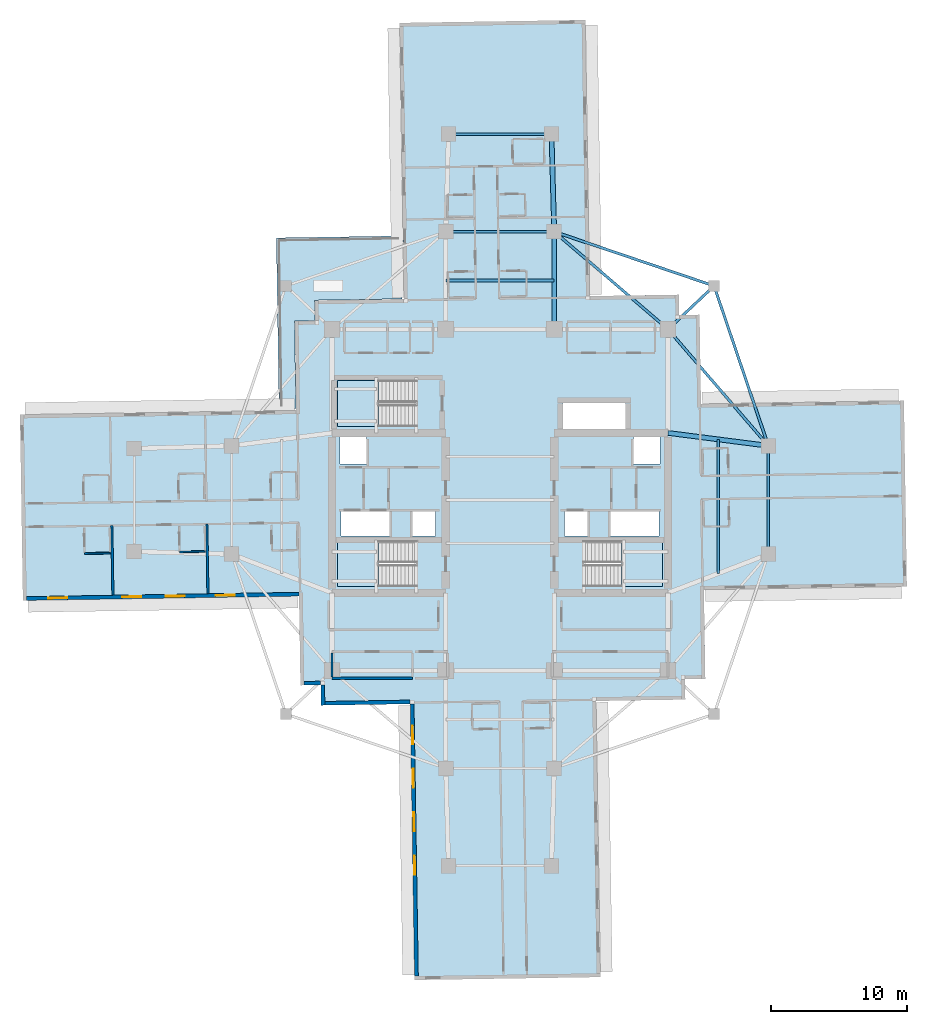
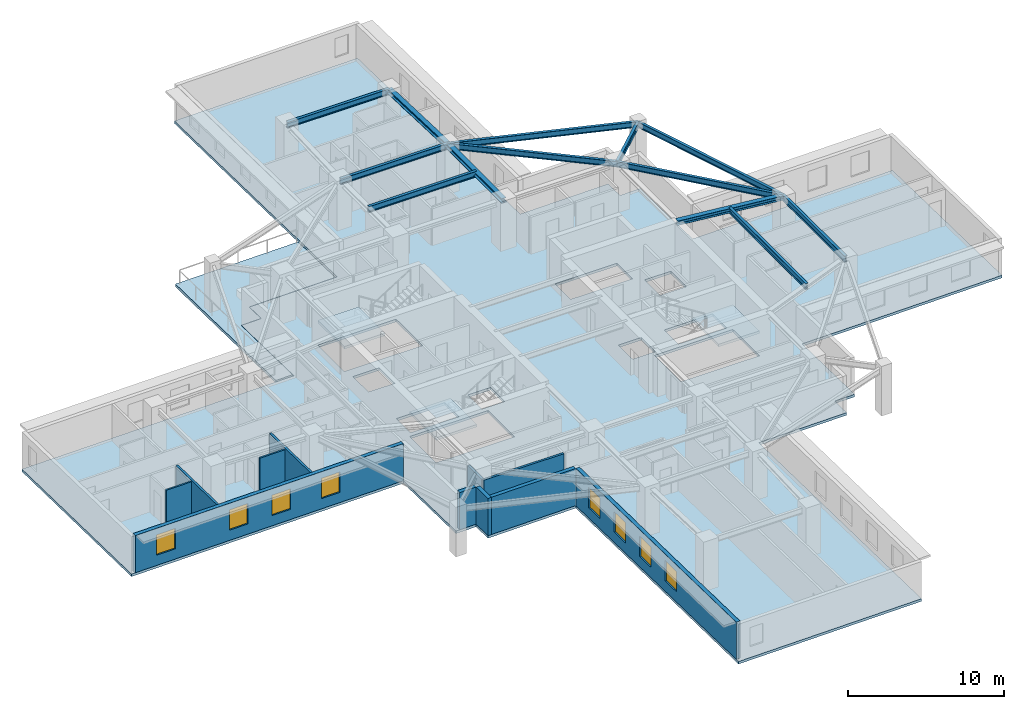
# One storey, part 2 of 13: 13 beams, 11 walls, 8 windows, 5 slabs, 8 openings, 3 elements without a shape of their own.
"""IFC4 building model written with IfcOpenShell, lengths in metres."""

from ifc_helpers import new_model, si_unit, direction, frame, frame_2d, origin, origin_2d, place, context, subcontext, project, spatial, polyline, rectangle, i_section, outline, extrude, material, layer, layer_set, material_profile, profile_set, type_object, element, fill, aggregate, save


model = new_model("IFC4")

# Units and contexts
model_context = context("Model", 3, precision=1e-05, world=origin(), true_north=direction((0.0, 1.0)))
body_context = subcontext(model_context, "Body", "Model", "MODEL_VIEW")
ifc_project = project(units=[si_unit("LENGTHUNIT", "METRE"), si_unit("AREAUNIT", "SQUARE_METRE"), si_unit("VOLUMEUNIT", "CUBIC_METRE"), si_unit("PLANEANGLEUNIT", "RADIAN"), si_unit("MASSUNIT", "GRAM", prefix="KILO")], contexts=[model_context])

# Site, building, storey
site_placement = place(None, origin())
site = spatial("IfcSite", under=ifc_project, at=site_placement, CompositionType="ELEMENT")
building_placement = place(site_placement, origin())
building = spatial("IfcBuilding", under=site, at=building_placement, Name="Qingluan Cross Belvedere", CompositionType="ELEMENT")
storey_placement = place(building_placement, frame((0.0, 0.0, 139.800048828125)))
storey = spatial("IfcBuildingStorey", under=building, at=storey_placement, Name="L35", CompositionType="ELEMENT", Elevation=139.800048828125)

# Beams
ifc_material_1 = material(Name="Steel Q420GJB", Category="steel")
ifc_material_profile_1 = material_profile(ifc_material_1, i_section(OverallWidth=0.199951171875, OverallDepth=0.449951171875, WebThickness=0.009033203125, FlangeThickness=0.013916015625, FilletRadius=0.01611328125, at=origin_2d()), Name="HN450x200x9x14")
ifc_profile_set_1 = profile_set([ifc_material_profile_1], Name="Steel Q420GJB")
beam_type_1 = type_object("IfcBeamType", Name="Steel_Beam_HN450x200x9x14", PredefinedType="JOIST", material=ifc_profile_set_1)
beam_1_placement = place(storey_placement, frame((12.39990234375, 12.60009765625, 3.425048828125), z_axis=(0.728219948308, 0.685343495546, 0.0), x_axis=(-0.685343495546, 0.728219948308, 0.0)))
element("IfcBeam", 1, at=beam_1_placement, inside=storey, type_object=beam_type_1, Name="Corner beam 1 L35-RNE", PredefinedType="JOIST", context=body_context, shape_type="SweptSolid", body=[
    extrude(i_section(OverallWidth=0.199951171875, OverallDepth=0.449951171875, WebThickness=0.009033203125, FlangeThickness=0.013916015625, FilletRadius=0.01611328125, at=origin_2d()), origin(), (0.0, 0.0, 1.0), 4.669189453125),
])
for number, where, z_axis, x_axis, name in (
    (2, (15.800048828125, 15.800048828125, 3.425048828125), (-0.947066283324, 0.321038089628, 0.0), (-0.321038089628, -0.947066283324, 0.0), "Corner beam 2 L35-RNE"),
    (3, (15.800048828125, 15.800048828125, 3.425048828125), (0.321038089628, -0.947066283324, 0.0), (0.947066283324, 0.321038089628, 0.0), "Corner beam 3 L35-RNE"),
):
    element("IfcBeam", number, at=place(storey_placement, frame(where, z_axis=z_axis, x_axis=x_axis)), inside=storey, type_object=beam_type_1, Name=name, PredefinedType="JOIST", context=body_context, shape_type="SweptSolid", body=[
        extrude(i_section(OverallWidth=0.199951171875, OverallDepth=0.449951171875, WebThickness=0.009033203125, FlangeThickness=0.013916015625, FilletRadius=0.01611328125, at=origin_2d()), origin(), (0.0, 0.0, 1.0), 12.45947265625),
    ])
beam_2_placement = place(storey_placement, frame((12.39990234375, 12.60009765625, 3.425048828125), z_axis=(0.652245077546, -0.75800815221, 0.0), x_axis=(0.75800815221, 0.652245077546, 0.0)))
element("IfcBeam", 4, at=beam_2_placement, inside=storey, type_object=beam_type_1, Name="Corner beam 4 L35-RNE", PredefinedType="JOIST", context=body_context, shape_type="SweptSolid", body=[
    extrude(i_section(OverallWidth=0.199951171875, OverallDepth=0.449951171875, WebThickness=0.009033203125, FlangeThickness=0.013916015625, FilletRadius=0.01611328125, at=origin_2d()), origin(), (0.0, 0.0, 1.0), 11.345703125),
])
beam_3_placement = place(storey_placement, frame((12.39990234375, 12.60009765625, 3.425048828125), z_axis=(-0.759255044656, 0.650793190779, 0.0), x_axis=(-0.650793190779, -0.759255044656, 0.0)))
element("IfcBeam", 5, at=beam_3_placement, inside=storey, type_object=beam_type_1, Name="Corner beam 5 L35-RNE", PredefinedType="JOIST", context=body_context, shape_type="SweptSolid", body=[
    extrude(i_section(OverallWidth=0.199951171875, OverallDepth=0.449951171875, WebThickness=0.009033203125, FlangeThickness=0.013916015625, FilletRadius=0.01611328125, at=origin_2d()), origin(), (0.0, 0.0, 1.0), 11.063232421875),
])
beam_4_placement = place(storey_placement, frame((19.800048828125, -4.0, 3.425048828125), z_axis=(0.0, 1.0, 0.0), x_axis=(-1.0, 0.0, 0.0)))
element("IfcBeam", 6, at=beam_4_placement, inside=storey, type_object=beam_type_1, Name="Arm E tie L35", PredefinedType="JOIST", context=body_context, shape_type="SweptSolid", body=[
    extrude(i_section(OverallWidth=0.199951171875, OverallDepth=0.449951171875, WebThickness=0.009033203125, FlangeThickness=0.013916015625, FilletRadius=0.01611328125, at=origin_2d()), origin(), (0.0, 0.0, 1.0), 8.0),
])
beam_5_placement = place(storey_placement, frame((16.10009765625, -5.425048828125, 3.425048828125), z_axis=(0.0, 1.0, 0.0), x_axis=(-1.0, 0.0, 0.0)))
element("IfcBeam", 7, at=beam_5_placement, inside=storey, type_object=beam_type_1, Name="Arm E beam L35", PredefinedType="JOIST", context=body_context, shape_type="SweptSolid", body=[
    extrude(i_section(OverallWidth=0.199951171875, OverallDepth=0.449951171875, WebThickness=0.009033203125, FlangeThickness=0.013916015625, FilletRadius=0.01611328125, at=origin_2d()), origin(), (0.0, 0.0, 1.0), 9.900146484375),
])
for number, where, z_axis, x_axis, name in (
    (8, (-4.0, 19.800048828125, 3.425048828125), (1.0, 0.0, 0.0), (0.0, 1.0, 0.0), "Arm N tie L35"),
    (9, (-4.0, 16.199951171875, 3.425048828125), (1.0, 0.0, 0.0), (0.0, 1.0, 0.0), "Arm N beam L35"),
):
    element("IfcBeam", number, at=place(storey_placement, frame(where, z_axis=z_axis, x_axis=x_axis)), inside=storey, type_object=beam_type_1, Name=name, PredefinedType="JOIST", context=body_context, shape_type="SweptSolid", body=[
        extrude(i_section(OverallWidth=0.199951171875, OverallDepth=0.449951171875, WebThickness=0.009033203125, FlangeThickness=0.013916015625, FilletRadius=0.01611328125, at=origin_2d()), origin(), (0.0, 0.0, 1.0), 8.0),
    ])
beam_6_placement = place(storey_placement, frame((-3.800048828125, 27.0, 3.425048828125), z_axis=(1.0, 0.0, 0.0), x_axis=(0.0, 1.0, 0.0)))
element("IfcBeam", 10, at=beam_6_placement, inside=storey, type_object=beam_type_1, Name="Arm N tip transverse beam L35", PredefinedType="JOIST", context=body_context, shape_type="SweptSolid", body=[
    extrude(i_section(OverallWidth=0.199951171875, OverallDepth=0.449951171875, WebThickness=0.009033203125, FlangeThickness=0.013916015625, FilletRadius=0.01611328125, at=origin_2d()), origin(), (0.0, 0.0, 1.0), 7.60009765625),
])
ifc_material_2 = material(Name="Steel Q420GJB", Category="steel")
ifc_material_profile_2 = material_profile(ifc_material_2, i_section(OverallWidth=0.35009765625, OverallDepth=0.35009765625, WebThickness=0.011962890625, FlangeThickness=0.01904296875, FilletRadius=0.02001953125, at=origin_2d()), Name="HW350x350x12x19")
ifc_profile_set_2 = profile_set([ifc_material_profile_2], Name="Steel Q420GJB")
beam_type_2 = type_object("IfcBeamType", Name="Steel_Girder_HW350x350x12x19", PredefinedType="USERDEFINED", material=ifc_profile_set_2)
beam_7_placement = place(storey_placement, frame((12.39990234375, 4.949951171875, 3.474853515625), z_axis=(0.991861120628, -0.12732445714, 0.0), x_axis=(0.12732445714, 0.991861120628, 0.0)))
element("IfcBeam", 11, at=beam_7_placement, inside=storey, type_object=beam_type_2, Name="Arm E radial girder B L35", ObjectType="GIRDER", PredefinedType="USERDEFINED", context=body_context, shape_type="SweptSolid", body=[
    extrude(i_section(OverallWidth=0.35009765625, OverallDepth=0.35009765625, WebThickness=0.011962890625, FlangeThickness=0.01904296875, FilletRadius=0.02001953125, at=origin_2d()), origin(), (0.0, 0.0, 1.0), 7.4609375),
])
beam_8_placement = place(storey_placement, frame((4.0, 12.60009765625, 3.474853515625), z_axis=(0.0, 1.0, 0.0), x_axis=(-1.0, 0.0, 0.0)))
element("IfcBeam", 12, at=beam_8_placement, inside=storey, type_object=beam_type_2, Name="Arm N radial girder B L35", ObjectType="GIRDER", PredefinedType="USERDEFINED", context=body_context, shape_type="SweptSolid", body=[
    extrude(i_section(OverallWidth=0.35009765625, OverallDepth=0.35009765625, WebThickness=0.011962890625, FlangeThickness=0.01904296875, FilletRadius=0.02001953125, at=origin_2d()), origin(), (0.0, 0.0, 1.0), 7.199951171875),
])
beam_9_placement = place(storey_placement, frame((4.0, 19.800048828125, 3.474853515625), z_axis=(-0.027760481514, 0.999614603568, 0.0), x_axis=(-0.999614603568, -0.027760481514, 0.0)))
element("IfcBeam", 13, at=beam_9_placement, inside=storey, type_object=beam_type_2, Name="Arm N outer radial girder B L35", ObjectType="GIRDER", PredefinedType="USERDEFINED", context=body_context, shape_type="SweptSolid", body=[
    extrude(i_section(OverallWidth=0.35009765625, OverallDepth=0.35009765625, WebThickness=0.011962890625, FlangeThickness=0.01904296875, FilletRadius=0.02001953125, at=origin_2d()), origin(), (0.0, 0.0, 1.0), 7.20263671875),
])

# Slab
ifc_material_3 = material(Name="Concrete C40", Category="concrete")
ifc_layer_1 = layer(ifc_material_3, 0.199951171875, Name="FloorSlab_200")
ifc_layer_set_1 = layer_set([ifc_layer_1], Name="Concrete C40")
slab_type_1 = type_object("IfcSlabType", Name="FloorSlab_200", PredefinedType="FLOOR", material=ifc_layer_set_1)
slab_1_placement = place(storey_placement, frame((0.0, 0.0, -0.199951171875)))
element("IfcSlab", 14, at=slab_1_placement, inside=storey, type_object=slab_type_1, Name="Structural floor slab L35", PredefinedType="FLOOR", context=body_context, shape_type="SweptSolid", body=[
    extrude(outline(polyline([(7.413818359375, -35.2080078125), (7.09375, -14.830322265625), (13.673095703125, -14.72705078125), (13.6494140625, -13.227294921875), (15.1494140625, -13.20361328125), (15.0458984375, -6.62451171875), (30.024169921875, -6.38916015625), (29.80859375, 7.3291015625), (14.830322265625, 7.09375), (14.72705078125, 13.673095703125), (13.227294921875, 13.6494140625), (13.20361328125, 15.1494140625), (6.62451171875, 15.0458984375), (6.304443359375, 35.42333984375), (-7.413818359375, 35.2080078125), (-7.09375, 14.830322265625), (-13.673095703125, 14.72705078125), (-13.6494140625, 13.227294921875), (-15.1494140625, 13.20361328125), (-15.0458984375, 6.62451171875), (-35.42333984375, 6.304443359375), (-35.2080078125, -7.413818359375), (-14.830322265625, -7.09375), (-14.72705078125, -13.673095703125), (-13.227294921875, -13.6494140625), (-13.20361328125, -15.1494140625), (-6.62451171875, -15.0458984375), (-6.304443359375, -35.42333984375), (7.413818359375, -35.2080078125)]), holes=[polyline([(-12.0, -3.0), (-6.179931640625, -3.0), (-6.179931640625, -6.39990234375), (-12.0, -6.39990234375), (-12.0, -3.0)]), polyline([(6.179931640625, -3.0), (12.0, -3.0), (12.0, -6.39990234375), (6.179931640625, -6.39990234375), (6.179931640625, -3.0)]), polyline([(-12.0, 8.820068359375), (-6.179931640625, 8.820068359375), (-6.179931640625, 5.419921875), (-12.0, 5.419921875), (-12.0, 8.820068359375)]), polyline([(-11.800048828125, 4.64990234375), (-9.85009765625, 4.64990234375), (-9.85009765625, 2.64990234375), (-11.800048828125, 2.64990234375), (-11.800048828125, 4.64990234375)]), polyline([(9.85009765625, 4.64990234375), (11.800048828125, 4.64990234375), (11.800048828125, 2.64990234375), (9.85009765625, 2.64990234375), (9.85009765625, 4.64990234375)]), polyline([(-11.75, -0.840087890625), (-8.14990234375, -0.840087890625), (-8.14990234375, -2.659912109375), (-11.75, -2.659912109375), (-11.75, -0.840087890625)]), polyline([(-6.449951171875, -0.840087890625), (-4.75, -0.840087890625), (-4.75, -2.659912109375), (-6.449951171875, -2.659912109375), (-6.449951171875, -0.840087890625)]), polyline([(4.75, -0.840087890625), (6.449951171875, -0.840087890625), (6.449951171875, -2.659912109375), (4.75, -2.659912109375), (4.75, -0.840087890625)]), polyline([(8.14990234375, -0.840087890625), (11.75, -0.840087890625), (11.75, -2.659912109375), (8.14990234375, -2.659912109375), (8.14990234375, -0.840087890625)]), polyline([(4.64990234375, 7.14990234375), (9.25, 7.14990234375), (9.25, 5.14990234375), (4.64990234375, 5.14990234375), (4.64990234375, 7.14990234375)])]), origin(), (0.0, 0.0, 1.0), 0.199951171875),
])

# Stair, slab
ifc_material_4 = material(Name="Concrete C40", Category="concrete")
stair_type = type_object("IfcStairType", Name="CoreDoglegStair_1620", PredefinedType="HALF_TURN_STAIR", material=ifc_material_4)
stair_1_placement = place(storey_placement, origin())
stair_1 = element("IfcStair", 15, at=stair_1_placement, inside=storey, type_object=stair_type, Name="L35 ST1", PredefinedType="HALF_TURN_STAIR")
ifc_material_5 = material(Name="Concrete C40", Category="concrete")
ifc_layer_2 = layer(ifc_material_5, 0.179931640625, Name="StairLandingSlab_180")
ifc_layer_set_2 = layer_set([ifc_layer_2], Name="Concrete C40")
slab_type_2 = type_object("IfcSlabType", Name="StairLandingSlab_180", PredefinedType="LANDING", material=ifc_layer_set_2)
slab_2_placement = place(storey_placement, frame((0.0, 0.0, 1.75)))
slab_2 = element("IfcSlab", 16, at=slab_2_placement, type_object=slab_type_2, Name="ST1 landing 1", PredefinedType="LANDING", context=body_context, shape_type="SweptSolid", body=[
    extrude(outline(polyline([(-8.97998046875, -3.0), (-12.0, -3.0), (-12.0, -6.39990234375), (-8.97998046875, -6.39990234375), (-8.97998046875, -3.0)])), origin(), (0.0, 0.0, 1.0), 0.199951171875),
])
aggregate(stair_1, [slab_2])

stair_2_placement = place(storey_placement, origin())
stair_2 = element("IfcStair", 17, at=stair_2_placement, inside=storey, type_object=stair_type, Name="L35 ST2", PredefinedType="HALF_TURN_STAIR")
slab_3_placement = place(storey_placement, frame((0.0, 0.0, 1.75)))
slab_3 = element("IfcSlab", 18, at=slab_3_placement, type_object=slab_type_2, Name="ST2 landing 1", PredefinedType="LANDING", context=body_context, shape_type="SweptSolid", body=[
    extrude(outline(polyline([(8.97998046875, -6.39990234375), (12.0, -6.39990234375), (12.0, -3.0), (8.97998046875, -3.0), (8.97998046875, -6.39990234375)])), origin(), (0.0, 0.0, 1.0), 0.199951171875),
])
aggregate(stair_2, [slab_3])

stair_3_placement = place(storey_placement, origin())
stair_3 = element("IfcStair", 19, at=stair_3_placement, inside=storey, type_object=stair_type, Name="L35 ST3", PredefinedType="HALF_TURN_STAIR")
slab_4_placement = place(storey_placement, frame((0.0, 0.0, 1.75)))
slab_4 = element("IfcSlab", 20, at=slab_4_placement, type_object=slab_type_2, Name="ST3 landing 1", PredefinedType="LANDING", context=body_context, shape_type="SweptSolid", body=[
    extrude(outline(polyline([(-8.97998046875, 8.820068359375), (-12.0, 8.820068359375), (-12.0, 5.419921875), (-8.97998046875, 5.419921875), (-8.97998046875, 8.820068359375)])), origin(), (0.0, 0.0, 1.0), 0.199951171875),
])
aggregate(stair_3, [slab_4])

# Slab
ifc_material_6 = material(Name="Concrete C40", Category="concrete")
ifc_layer_3 = layer(ifc_material_6, 0.219970703125, Name="TerraceSlab_220")
ifc_layer_set_3 = layer_set([ifc_layer_3], Name="Concrete C40")
slab_type_3 = type_object("IfcSlabType", Name="TerraceSlab_220", PredefinedType="FLOOR", material=ifc_layer_set_3)
slab_5_placement = place(storey_placement, frame((0.0, 0.0, -0.219970703125)))
element("IfcSlab", 21, at=slab_5_placement, inside=storey, type_object=slab_type_3, Name="Spiralling winter-garden terrace slab L35", PredefinedType="FLOOR", context=body_context, shape_type="SweptSolid", body=[
    extrude(outline(polyline([(-15.05810546875, 6.764404296875), (-15.15771484375, 13.208984375), (-13.65966796875, 13.237060546875), (-13.68310546875, 14.726806640625), (-13.675048828125, 14.73681640625), (-7.23388671875, 14.838134765625), (-7.306884765625, 19.487548828125), (-16.505859375, 19.343017578125), (-16.30810546875, 6.74462890625), (-15.05810546875, 6.764404296875)])), origin(), (0.0, 0.0, 1.0), 0.219970703125),
])

# Walls
ifc_material_7 = material(Name="Gypsum plasterboard on steel stud acoustic partition", Category="steel")
ifc_layer_4 = layer(ifc_material_7, 0.159912109375, Name="CorridorPartition_160")
ifc_layer_set_4 = layer_set([ifc_layer_4], Name="Gypsum plasterboard on steel stud acoustic partition")
wall_type_1 = type_object("IfcWallType", Name="CorridorPartition_160", PredefinedType="PARTITIONING", material=ifc_layer_set_4)
wall_1_placement = place(storey_placement, frame((-12.39990234375, -13.14990234375, 0.0), z_axis=(0.0, 0.0, 1.0), x_axis=(1.0, 0.0, 0.0)))
element("IfcWall", 22, at=wall_1_placement, inside=storey, type_object=wall_type_1, Name="Partition L35:q_sw1:S", PredefinedType="PARTITIONING", context=body_context, shape_type="SweptSolid", body=[
    extrude(rectangle(XDim=5.949951171875, YDim=0.159912109375, at=frame_2d((2.97509765625, 0.0))), origin(), (0.0, 0.0, 1.0), 2.909912109375),
])
wall_2_placement = place(storey_placement, frame((-12.39990234375, -13.06494140625, 0.0), z_axis=(0.0, 0.0, 1.0), x_axis=(0.0, 1.0, 0.0)))
element("IfcWall", 23, at=wall_2_placement, inside=storey, type_object=wall_type_1, Name="Partition L35:q_sw1:W", PredefinedType="PARTITIONING", context=body_context, shape_type="SweptSolid", body=[
    extrude(rectangle(XDim=1.780029296875, YDim=0.159912109375, at=frame_2d((0.89013671875, 0.0))), origin(), (0.0, 0.0, 1.0), 2.909912109375),
])
for number, where, z_axis, x_axis, name in (
    (24, (-21.6357421875, -1.780029296875, 0.0), (0.0, 0.0, 1.0), (0.015698892967, -0.999876764786, 0.0), "Partition L35:W:d1_0"),
    (25, (-28.647705078125, -1.89013671875, 0.0), (0.0, 0.0, 1.0), (0.015698892967, -0.999876764786, 0.0), "Partition L35:W:d1_1"),
):
    element("IfcWall", number, at=place(storey_placement, frame(where, z_axis=z_axis, x_axis=x_axis)), inside=storey, type_object=wall_type_1, Name=name, PredefinedType="PARTITIONING", context=body_context, shape_type="SweptSolid", body=[
        extrude(rectangle(XDim=5.132080078125, YDim=0.159912109375, at=frame_2d((2.56591796875, 0.0))), origin(), (0.0, 0.0, 1.0), 2.909912109375),
    ])
ifc_material_8 = material(Name="Moisture-resistant gypsum board lining")
ifc_layer_5 = layer(ifc_material_8, 0.1201171875, Name="EnsuiteWetPartition_120")
ifc_layer_set_5 = layer_set([ifc_layer_5], Name="Moisture-resistant gypsum board lining")
wall_type_2 = type_object("IfcWallType", Name="EnsuiteWetPartition_120", PredefinedType="PARTITIONING", material=ifc_layer_set_5)
for number, where, z_axis, x_axis, name in (
    (26, (-21.763916015625, -3.807373046875, 0.0), (0.0, 0.0, 1.0), (-0.999876553475, -0.01571234584, 0.0), "Partition L35:W:bc1_1"),
    (27, (-28.77587890625, -3.91748046875, 0.0), (0.0, 0.0, 1.0), (-0.999876553475, -0.01571234584, 0.0), "Partition L35:W:bc1_2"),
):
    element("IfcWall", number, at=place(storey_placement, frame(where, z_axis=z_axis, x_axis=x_axis)), inside=storey, type_object=wall_type_2, Name=name, PredefinedType="PARTITIONING", context=body_context, shape_type="SweptSolid", body=[
        extrude(rectangle(XDim=1.880126953125, YDim=0.1201171875, at=frame_2d((0.93994140625, 0.0))), origin(), (0.0, 0.0, 1.0), 2.909912109375),
    ])

# Wall, openings, windows
ifc_material_9 = material(Name="Precast concrete C45", Category="concrete")
ifc_layer_6 = layer(ifc_material_9, 0.280029296875, Name="PrecastFacadeWall_280")
ifc_layer_set_6 = layer_set([ifc_layer_6], Name="Precast concrete C45")
wall_type_3 = type_object("IfcWallType", Name="PrecastFacadeWall_280", PredefinedType="STANDARD", material=ifc_layer_set_6)
wall_3_placement = place(storey_placement, frame((-34.93017578125, -7.26953125, 0.0), z_axis=(0.0, 0.0, 1.0), x_axis=(0.999876667941, 0.015705059908, 0.0)))
wall_3 = element("IfcWall", 28, at=wall_3_placement, inside=storey, type_object=wall_type_3, Name="Facade wall L35-WB", PredefinedType="STANDARD", context=body_context, shape_type="SweptSolid", body=[
    extrude(rectangle(XDim=20.10009765625, YDim=0.280029296875, at=frame_2d((10.050048828125, 0.0))), origin(), (0.0, 0.0, 1.0), 2.919921875),
])
opening_1_placement = place(wall_3_placement, frame((1.60009765625, 0.0, 0.800048828125)))
opening_1 = element("IfcOpeningElement", 29, at=opening_1_placement, cuts=wall_3, Name="Opening W-01", PredefinedType="OPENING", context=body_context, shape_type="SweptSolid", body=[
    extrude(rectangle(XDim=1.39990234375, YDim=1.60009765625, at=frame_2d((0.699951171875, 0.800048828125))), frame((0.0, 0.14990234375, 0.0), z_axis=(0.0, -1.0, 0.0), x_axis=(1.0, 0.0, 0.0)), (0.0, 0.0, 1.0), 0.300048828125),
])
opening_2_placement = place(wall_3_placement, frame((7.050048828125, 0.0, 0.800048828125)))
opening_2 = element("IfcOpeningElement", 30, at=opening_2_placement, cuts=wall_3, Name="Opening W-01", PredefinedType="OPENING", context=body_context, shape_type="SweptSolid", body=[
    extrude(rectangle(XDim=1.39990234375, YDim=1.60009765625, at=frame_2d((0.699951171875, 0.800048828125))), frame((0.0, 0.14990234375, 0.0), z_axis=(0.0, -1.0, 0.0), x_axis=(1.0, 0.0, 0.0)), (0.0, 0.0, 1.0), 0.300048828125),
])
opening_3_placement = place(wall_3_placement, frame((10.25, 0.0, 0.800048828125)))
opening_3 = element("IfcOpeningElement", 31, at=opening_3_placement, cuts=wall_3, Name="Opening W-01", PredefinedType="OPENING", context=body_context, shape_type="SweptSolid", body=[
    extrude(rectangle(XDim=1.39990234375, YDim=1.60009765625, at=frame_2d((0.699951171875, 0.800048828125))), frame((0.0, 0.14990234375, 0.0), z_axis=(0.0, -1.0, 0.0), x_axis=(1.0, 0.0, 0.0)), (0.0, 0.0, 1.0), 0.300048828125),
])
opening_4_placement = place(wall_3_placement, frame((13.949951171875, 0.0, 0.800048828125)))
opening_4 = element("IfcOpeningElement", 32, at=opening_4_placement, cuts=wall_3, Name="Opening W-01", PredefinedType="OPENING", context=body_context, shape_type="SweptSolid", body=[
    extrude(rectangle(XDim=1.39990234375, YDim=1.60009765625, at=frame_2d((0.699951171875, 0.800048828125))), frame((0.0, 0.14990234375, 0.0), z_axis=(0.0, -1.0, 0.0), x_axis=(1.0, 0.0, 0.0)), (0.0, 0.0, 1.0), 0.300048828125),
])
ifc_material_10 = material(Name="Thermally broken triple Low-E glass in aluminium frame", Category="aluminium")
window_type = type_object("IfcWindowType", Name="TriRibbonWin_1400x1600", PartitioningType="SINGLE_PANEL", PredefinedType="WINDOW", material=ifc_material_10)
window_1_placement = place(opening_1_placement, origin())
window_1 = element("IfcWindow", 33, at=window_1_placement, inside=storey, type_object=window_type, Name="Ribbon window L35-WB-1", OverallHeight=1.60009765625, OverallWidth=1.39990234375, PartitioningType="SINGLE_PANEL", PredefinedType="WINDOW", context=body_context, shape_type="SweptSolid", body=[
    extrude(rectangle(XDim=1.39990234375, YDim=1.60009765625, at=frame_2d((0.699951171875, 0.800048828125))), frame((0.0, 0.030029296875, 0.0), z_axis=(0.0, -1.0, 0.0), x_axis=(1.0, 0.0, 0.0)), (0.0, 0.0, 1.0), 0.06005859375),
])
fill(opening_1, window_1)
window_2_placement = place(opening_2_placement, origin())
window_2 = element("IfcWindow", 34, at=window_2_placement, inside=storey, type_object=window_type, Name="Ribbon window L35-WB-2", OverallHeight=1.60009765625, OverallWidth=1.39990234375, PartitioningType="SINGLE_PANEL", PredefinedType="WINDOW", context=body_context, shape_type="SweptSolid", body=[
    extrude(rectangle(XDim=1.39990234375, YDim=1.60009765625, at=frame_2d((0.699951171875, 0.800048828125))), frame((0.0, 0.030029296875, 0.0), z_axis=(0.0, -1.0, 0.0), x_axis=(1.0, 0.0, 0.0)), (0.0, 0.0, 1.0), 0.06005859375),
])
fill(opening_2, window_2)
window_3_placement = place(opening_3_placement, origin())
window_3 = element("IfcWindow", 35, at=window_3_placement, inside=storey, type_object=window_type, Name="Ribbon window L35-WB-3", OverallHeight=1.60009765625, OverallWidth=1.39990234375, PartitioningType="SINGLE_PANEL", PredefinedType="WINDOW", context=body_context, shape_type="SweptSolid", body=[
    extrude(rectangle(XDim=1.39990234375, YDim=1.60009765625, at=frame_2d((0.699951171875, 0.800048828125))), frame((0.0, 0.030029296875, 0.0), z_axis=(0.0, -1.0, 0.0), x_axis=(1.0, 0.0, 0.0)), (0.0, 0.0, 1.0), 0.06005859375),
])
fill(opening_3, window_3)
window_4_placement = place(opening_4_placement, origin())
window_4 = element("IfcWindow", 36, at=window_4_placement, inside=storey, type_object=window_type, Name="Ribbon window L35-WB-4", OverallHeight=1.60009765625, OverallWidth=1.39990234375, PartitioningType="SINGLE_PANEL", PredefinedType="WINDOW", context=body_context, shape_type="SweptSolid", body=[
    extrude(rectangle(XDim=1.39990234375, YDim=1.60009765625, at=frame_2d((0.699951171875, 0.800048828125))), frame((0.0, 0.030029296875, 0.0), z_axis=(0.0, -1.0, 0.0), x_axis=(1.0, 0.0, 0.0)), (0.0, 0.0, 1.0), 0.06005859375),
])
fill(opening_4, window_4)

wall_4_placement = place(storey_placement, frame((-6.484619140625, -15.043701171875, 0.0), z_axis=(0.0, 0.0, 1.0), x_axis=(0.01571739401, -0.999876474133, 0.0)))
wall_4 = element("IfcWall", 37, at=wall_4_placement, inside=storey, type_object=wall_type_3, Name="Facade wall L35-SA", PredefinedType="STANDARD", context=body_context, shape_type="SweptSolid", body=[
    extrude(rectangle(XDim=20.099853515625, YDim=0.280029296875, at=frame_2d((10.0498046875, 0.0))), origin(), (0.0, 0.0, 1.0), 2.919921875),
])
opening_5_placement = place(wall_4_placement, frame((1.60009765625, 0.0, 0.800048828125)))
opening_5 = element("IfcOpeningElement", 38, at=opening_5_placement, cuts=wall_4, Name="Opening W-01", PredefinedType="OPENING", context=body_context, shape_type="SweptSolid", body=[
    extrude(rectangle(XDim=1.39990234375, YDim=1.60009765625, at=frame_2d((0.699951171875, 0.800048828125))), frame((0.0, 0.14990234375, 0.0), z_axis=(0.0, -1.0, 0.0), x_axis=(1.0, 0.0, 0.0)), (0.0, 0.0, 1.0), 0.300048828125),
])
opening_6_placement = place(wall_4_placement, frame((4.800048828125, 0.0, 0.800048828125)))
opening_6 = element("IfcOpeningElement", 39, at=opening_6_placement, cuts=wall_4, Name="Opening W-01", PredefinedType="OPENING", context=body_context, shape_type="SweptSolid", body=[
    extrude(rectangle(XDim=1.39990234375, YDim=1.60009765625, at=frame_2d((0.699951171875, 0.800048828125))), frame((0.0, 0.14990234375, 0.0), z_axis=(0.0, -1.0, 0.0), x_axis=(1.0, 0.0, 0.0)), (0.0, 0.0, 1.0), 0.300048828125),
])
opening_7_placement = place(wall_4_placement, frame((8.0, 0.0, 0.800048828125)))
opening_7 = element("IfcOpeningElement", 40, at=opening_7_placement, cuts=wall_4, Name="Opening W-01", PredefinedType="OPENING", context=body_context, shape_type="SweptSolid", body=[
    extrude(rectangle(XDim=1.39990234375, YDim=1.60009765625, at=frame_2d((0.699951171875, 0.800048828125))), frame((0.0, 0.14990234375, 0.0), z_axis=(0.0, -1.0, 0.0), x_axis=(1.0, 0.0, 0.0)), (0.0, 0.0, 1.0), 0.300048828125),
])
opening_8_placement = place(wall_4_placement, frame((11.199951171875, 0.0, 0.800048828125)))
opening_8 = element("IfcOpeningElement", 41, at=opening_8_placement, cuts=wall_4, Name="Opening W-01", PredefinedType="OPENING", context=body_context, shape_type="SweptSolid", body=[
    extrude(rectangle(XDim=1.39990234375, YDim=1.60009765625, at=frame_2d((0.699951171875, 0.800048828125))), frame((0.0, 0.14990234375, 0.0), z_axis=(0.0, -1.0, 0.0), x_axis=(1.0, 0.0, 0.0)), (0.0, 0.0, 1.0), 0.300048828125),
])
window_5_placement = place(opening_5_placement, origin())
window_5 = element("IfcWindow", 42, at=window_5_placement, inside=storey, type_object=window_type, Name="Ribbon window L35-SA-1", OverallHeight=1.60009765625, OverallWidth=1.39990234375, PartitioningType="SINGLE_PANEL", PredefinedType="WINDOW", context=body_context, shape_type="SweptSolid", body=[
    extrude(rectangle(XDim=1.39990234375, YDim=1.60009765625, at=frame_2d((0.699951171875, 0.800048828125))), frame((0.0, 0.030029296875, 0.0), z_axis=(0.0, -1.0, 0.0), x_axis=(1.0, 0.0, 0.0)), (0.0, 0.0, 1.0), 0.06005859375),
])
fill(opening_5, window_5)
window_6_placement = place(opening_6_placement, origin())
window_6 = element("IfcWindow", 43, at=window_6_placement, inside=storey, type_object=window_type, Name="Ribbon window L35-SA-2", OverallHeight=1.60009765625, OverallWidth=1.39990234375, PartitioningType="SINGLE_PANEL", PredefinedType="WINDOW", context=body_context, shape_type="SweptSolid", body=[
    extrude(rectangle(XDim=1.39990234375, YDim=1.60009765625, at=frame_2d((0.699951171875, 0.800048828125))), frame((0.0, 0.030029296875, 0.0), z_axis=(0.0, -1.0, 0.0), x_axis=(1.0, 0.0, 0.0)), (0.0, 0.0, 1.0), 0.06005859375),
])
fill(opening_6, window_6)
window_7_placement = place(opening_7_placement, origin())
window_7 = element("IfcWindow", 44, at=window_7_placement, inside=storey, type_object=window_type, Name="Ribbon window L35-SA-3", OverallHeight=1.60009765625, OverallWidth=1.39990234375, PartitioningType="SINGLE_PANEL", PredefinedType="WINDOW", context=body_context, shape_type="SweptSolid", body=[
    extrude(rectangle(XDim=1.39990234375, YDim=1.60009765625, at=frame_2d((0.699951171875, 0.800048828125))), frame((0.0, 0.030029296875, 0.0), z_axis=(0.0, -1.0, 0.0), x_axis=(1.0, 0.0, 0.0)), (0.0, 0.0, 1.0), 0.06005859375),
])
fill(opening_7, window_7)
window_8_placement = place(opening_8_placement, origin())
window_8 = element("IfcWindow", 45, at=window_8_placement, inside=storey, type_object=window_type, Name="Ribbon window L35-SA-4", OverallHeight=1.60009765625, OverallWidth=1.39990234375, PartitioningType="SINGLE_PANEL", PredefinedType="WINDOW", context=body_context, shape_type="SweptSolid", body=[
    extrude(rectangle(XDim=1.39990234375, YDim=1.60009765625, at=frame_2d((0.699951171875, 0.800048828125))), frame((0.0, 0.030029296875, 0.0), z_axis=(0.0, -1.0, 0.0), x_axis=(1.0, 0.0, 0.0)), (0.0, 0.0, 1.0), 0.06005859375),
])
fill(opening_8, window_8)

# Walls
wall_5_placement = place(storey_placement, frame((-14.44921875, -13.528564453125, 0.0), z_axis=(0.0, 0.0, 1.0), x_axis=(0.999878147354, 0.015610587569, 0.0)))
element("IfcWall", 46, at=wall_5_placement, inside=storey, type_object=wall_type_3, Name="Corner wall L35-SW2", PredefinedType="STANDARD", context=body_context, shape_type="SweptSolid", body=[
    extrude(rectangle(XDim=1.219970703125, YDim=0.280029296875, at=frame_2d((0.60986328125, 0.0))), origin(), (0.0, 0.0, 1.0), 2.919921875),
])
wall_6_placement = place(storey_placement, frame((-13.08740234375, -13.647216796875, 0.0), z_axis=(0.0, 0.0, 1.0), x_axis=(0.015785793208, -0.999875396603, 0.0)))
element("IfcWall", 47, at=wall_6_placement, inside=storey, type_object=wall_type_3, Name="Corner wall L35-SW3", PredefinedType="STANDARD", context=body_context, shape_type="SweptSolid", body=[
    extrude(rectangle(XDim=1.500244140625, YDim=0.280029296875, at=frame_2d((0.75, 0.0))), origin(), (0.0, 0.0, 1.0), 2.919921875),
])
wall_7_placement = place(storey_placement, frame((-12.92578125, -15.0048828125, 0.0), z_axis=(0.0, 0.0, 1.0), x_axis=(0.999876823822, 0.015695132501, 0.0)))
element("IfcWall", 48, at=wall_7_placement, inside=storey, type_object=wall_type_3, Name="Corner wall L35-SW4", PredefinedType="STANDARD", context=body_context, shape_type="SweptSolid", body=[
    extrude(rectangle(XDim=6.2998046875, YDim=0.280029296875, at=frame_2d((3.14990234375, 0.0))), origin(), (0.0, 0.0, 1.0), 2.919921875),
])

save(model, "model.ifc")
